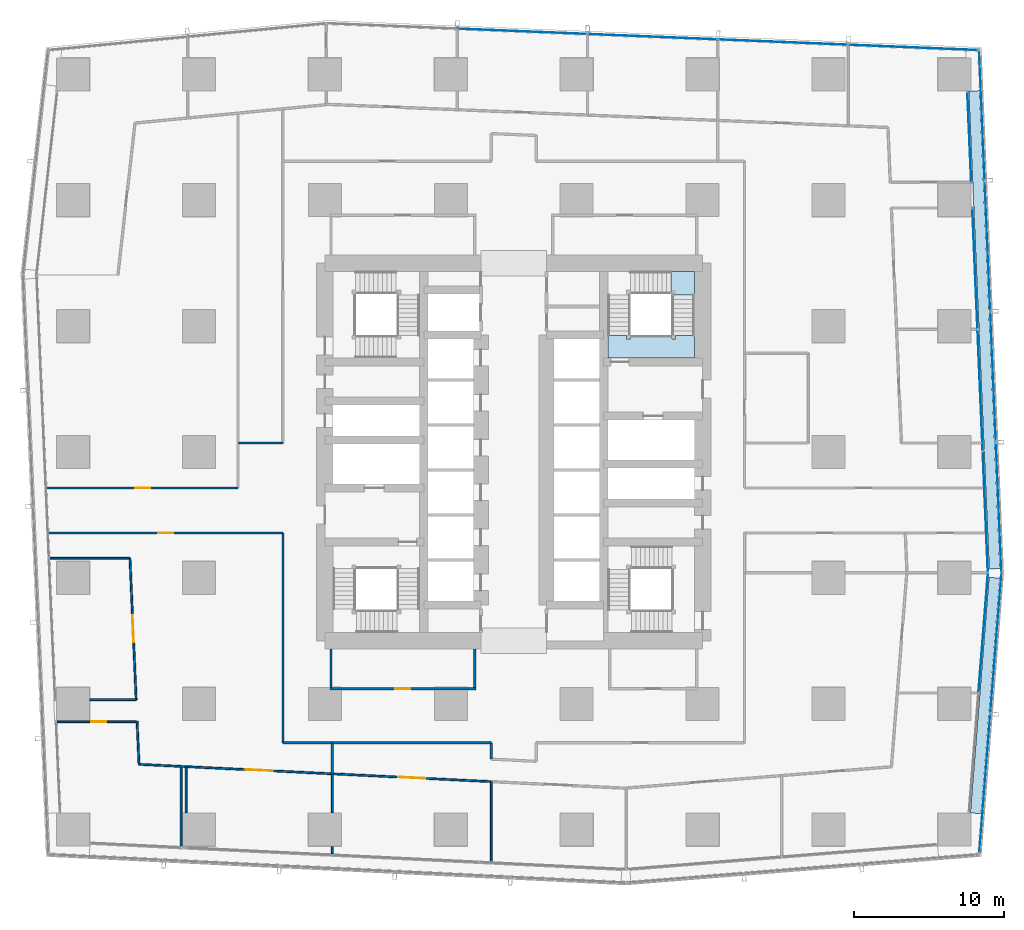
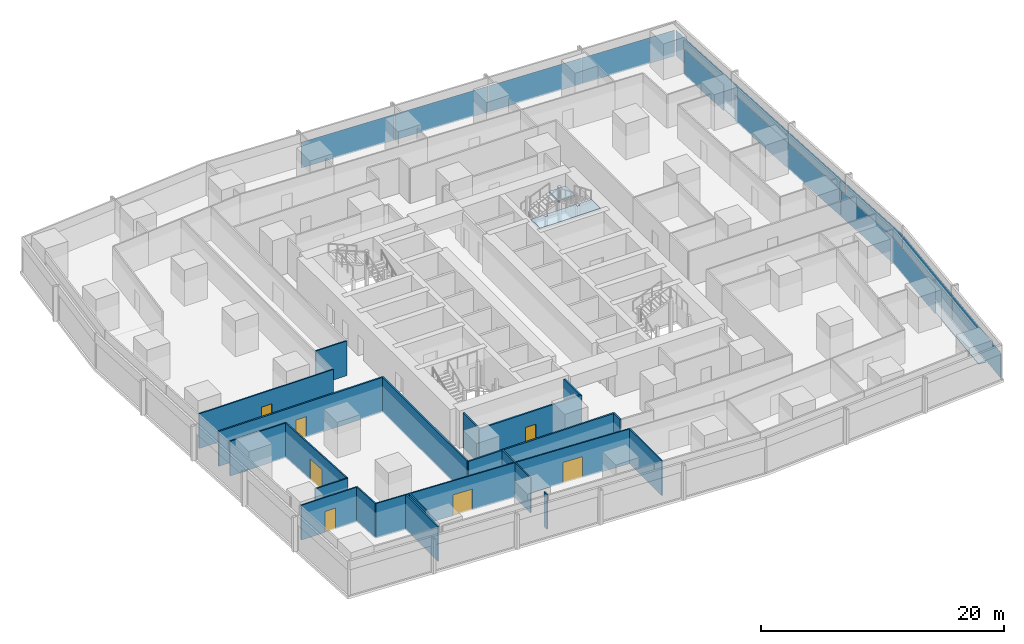
# One storey, part 31 of 44: 24 walls, 17 plates, 7 doors, 2 slabs, 7 openings, 7 elements without a shape of their own.
"""IFC4 building model written with IfcOpenShell, lengths in metres."""

from ifc_helpers import new_model, si_unit, direction, frame, frame_2d, origin, origin_2d, place, context, subcontext, project, spatial, polyline, rectangle, outline, extrude, material, layer, layer_set, type_object, element, fill, aggregate, save


model = new_model("IFC4")

# Units and contexts
model_context = context("Model", 3, precision=1e-05, world=origin(), true_north=direction((0.0, 1.0)))
body_context = subcontext(model_context, "Body", "Model", "MODEL_VIEW")
ifc_project = project(units=[si_unit("LENGTHUNIT", "METRE"), si_unit("AREAUNIT", "SQUARE_METRE"), si_unit("VOLUMEUNIT", "CUBIC_METRE"), si_unit("PLANEANGLEUNIT", "RADIAN"), si_unit("MASSUNIT", "GRAM", prefix="KILO")], contexts=[model_context])

# Site, building, storey
site_placement = place(None, origin())
site = spatial("IfcSite", under=ifc_project, at=site_placement, CompositionType="ELEMENT")
building_placement = place(site_placement, origin())
building = spatial("IfcBuilding", under=site, at=building_placement, Name="Rekha Terrace Tower", CompositionType="ELEMENT")
storey_placement = place(building_placement, frame((0.0, 0.0, 74.14990234375)))
storey = spatial("IfcBuildingStorey", under=building, at=storey_placement, Name="L18", CompositionType="ELEMENT", Elevation=74.14990234375)

# Curtain wall, plate
ifc_material_1 = material(Name="Aluminium framing", Category="aluminium")
curtain_wall_type_1 = type_object("IfcCurtainWallType", Name="CW1 double skin inner glazing", PredefinedType="USERDEFINED", material=ifc_material_1)
curtain_wall_1_placement = place(storey_placement, origin())
curtain_wall_1 = element("IfcCurtainWall", 1, at=curtain_wall_1_placement, inside=storey, type_object=curtain_wall_type_1, Name="CW1 double skin inner glazing", ObjectType="DOUBLE SKIN INNER GLAZING", PredefinedType="USERDEFINED")
ifc_material_2 = material(Name="Double-glazed low-e unit 32", Category="glass")
ifc_layer_1 = layer(ifc_material_2, 0.031982421875)
ifc_layer_set_1 = layer_set([ifc_layer_1], Name="Double-glazed low-e unit 32")
plate_type_1 = type_object("IfcPlateType", Name="CW1 jumbo vision panel, double-glazed low-e unit 32", PredefinedType="CURTAIN_PANEL", material=ifc_layer_set_1)
plate_1_placement = place(storey_placement, frame((69.1220703125, 21.53759765625, 0.0), z_axis=(0.0, 0.0, 1.0), x_axis=(0.079116301, 0.996865392576, 0.0)))
plate_1 = element("IfcPlate", 2, at=plate_1_placement, type_object=plate_type_1, Name="CW1 panel 2.1", PredefinedType="CURTAIN_PANEL", context=body_context, shape_type="SweptSolid", body=[
    extrude(rectangle(XDim=7.988525390625, YDim=0.031982421875, at=origin_2d()), origin(), (0.0, 0.0, 1.0), 2.60009765625),
])
aggregate(curtain_wall_1, [plate_1])

# Curtain wall, plates
curtain_wall_2_placement = place(storey_placement, origin())
curtain_wall_2 = element("IfcCurtainWall", 3, at=curtain_wall_2_placement, inside=storey, type_object=curtain_wall_type_1, Name="CW1 double skin inner glazing", ObjectType="DOUBLE SKIN INNER GLAZING", PredefinedType="USERDEFINED")
plate_2_placement = place(storey_placement, frame((69.263671875, 29.60107421875, 0.0), z_axis=(0.0, 0.0, 1.0), x_axis=(-0.042696072921, 0.999088106904, 0.0)))
plate_2 = element("IfcPlate", 4, at=plate_2_placement, type_object=plate_type_1, Name="CW1 panel 1.1", PredefinedType="CURTAIN_PANEL", context=body_context, shape_type="SweptSolid", body=[
    extrude(rectangle(XDim=8.041015625, YDim=0.031982421875, at=origin_2d()), origin(), (0.0, 0.0, 1.0), 2.60009765625),
])
plate_3_placement = place(storey_placement, frame((68.9169921875, 37.7158203125, 0.0), z_axis=(0.0, 0.0, 1.0), x_axis=(-0.042696072921, 0.999088106904, 0.0)))
plate_3 = element("IfcPlate", 5, at=plate_3_placement, type_object=plate_type_1, Name="CW1 panel 2.1", PredefinedType="CURTAIN_PANEL", context=body_context, shape_type="SweptSolid", body=[
    extrude(rectangle(XDim=8.073486328125, YDim=0.031982421875, at=origin_2d()), origin(), (0.0, 0.0, 1.0), 2.60009765625),
])
plate_4_placement = place(storey_placement, frame((68.5703125, 45.83056640625, 0.0), z_axis=(0.0, 0.0, 1.0), x_axis=(-0.042696072921, 0.999088106904, 0.0)))
plate_4 = element("IfcPlate", 6, at=plate_4_placement, type_object=plate_type_1, Name="CW1 panel 3.1", PredefinedType="CURTAIN_PANEL", context=body_context, shape_type="SweptSolid", body=[
    extrude(rectangle(XDim=8.041015625, YDim=0.031982421875, at=origin_2d()), origin(), (0.0, 0.0, 1.0), 2.60009765625),
])
aggregate(curtain_wall_2, [plate_2, plate_3, plate_4])

# Curtain wall, plate
curtain_wall_3_placement = place(storey_placement, origin())
curtain_wall_3 = element("IfcCurtainWall", 7, at=curtain_wall_3_placement, inside=storey, type_object=curtain_wall_type_1, Name="CW1 double skin inner glazing", ObjectType="DOUBLE SKIN INNER GLAZING", PredefinedType="USERDEFINED")
plate_5_placement = place(storey_placement, frame((68.195556640625, 54.60009765625, 0.0), z_axis=(0.0, 0.0, 1.0), x_axis=(-0.042696073026, 0.9990881069, 0.0)))
plate_5 = element("IfcPlate", 8, at=plate_5_placement, type_object=plate_type_1, Name="CW1 panel 1.1", PredefinedType="CURTAIN_PANEL", context=body_context, shape_type="SweptSolid", body=[
    extrude(rectangle(XDim=6.027587890625, YDim=0.031982421875, at=origin_2d()), origin(), (0.0, 0.0, 1.0), 2.60009765625),
])
aggregate(curtain_wall_3, [plate_5])

# Curtain wall, plates
curtain_wall_type_2 = type_object("IfcCurtainWallType", Name="CW2 double skin outer glazing", PredefinedType="USERDEFINED", material=ifc_material_1)
curtain_wall_4_placement = place(storey_placement, origin())
curtain_wall_4 = element("IfcCurtainWall", 9, at=curtain_wall_4_placement, inside=storey, type_object=curtain_wall_type_2, Name="CW2 double skin outer glazing", ObjectType="DOUBLE SKIN OUTER GLAZING", PredefinedType="USERDEFINED")
ifc_material_3 = material(Name="Toughened single glazing 12", Category="glass")
ifc_layer_2 = layer(ifc_material_3, 0.011962890625)
ifc_layer_set_2 = layer_set([ifc_layer_2], Name="Toughened single glazing 12")
plate_type_2 = type_object("IfcPlateType", Name="CW2 jumbo vision panel, toughened single glazing 12", PredefinedType="CURTAIN_PANEL", material=ifc_layer_set_2)
plate_6_placement = place(storey_placement, frame((69.22509765625, 11.45703125, 0.0), z_axis=(0.0, 0.0, 1.0), x_axis=(0.079116301017, 0.996865392575, 0.0)))
plate_6 = element("IfcPlate", 10, at=plate_6_placement, type_object=plate_type_2, Name="CW2 panel 1.1", PredefinedType="CURTAIN_PANEL", context=body_context, shape_type="SweptSolid", body=[
    extrude(rectangle(XDim=9.28662109375, YDim=0.011962890625, at=origin_2d()), origin(), (0.0, 0.0, 1.0), 2.60009765625),
])
plate_7_placement = place(storey_placement, frame((69.96923828125, 20.834228515625, 0.0), z_axis=(0.0, 0.0, 1.0), x_axis=(0.079116301017, 0.996865392575, 0.0)))
plate_7 = element("IfcPlate", 11, at=plate_7_placement, type_object=plate_type_2, Name="CW2 panel 2.1", PredefinedType="CURTAIN_PANEL", context=body_context, shape_type="SweptSolid", body=[
    extrude(rectangle(XDim=9.36669921875, YDim=0.011962890625, at=origin_2d()), origin(), (0.0, 0.0, 1.0), 2.60009765625),
])
aggregate(curtain_wall_4, [plate_6, plate_7])

curtain_wall_5_placement = place(storey_placement, origin())
curtain_wall_5 = element("IfcCurtainWall", 12, at=curtain_wall_5_placement, inside=storey, type_object=curtain_wall_type_2, Name="CW2 double skin outer glazing", ObjectType="DOUBLE SKIN OUTER GLAZING", PredefinedType="USERDEFINED")
plate_8_placement = place(storey_placement, frame((70.152099609375, 29.890869140625, 0.0), z_axis=(0.0, 0.0, 1.0), x_axis=(-0.042696072956, 0.999088106903, 0.0)))
plate_8 = element("IfcPlate", 13, at=plate_8_placement, type_object=plate_type_2, Name="CW2 panel 1.1", PredefinedType="CURTAIN_PANEL", context=body_context, shape_type="SweptSolid", body=[
    extrude(rectangle(XDim=8.623779296875, YDim=0.011962890625, at=origin_2d()), origin(), (0.0, 0.0, 1.0), 2.60009765625),
])
plate_9_placement = place(storey_placement, frame((69.77978515625, 38.606689453125, 0.0), z_axis=(0.0, 0.0, 1.0), x_axis=(-0.042696072956, 0.999088106903, 0.0)))
plate_9 = element("IfcPlate", 14, at=plate_9_placement, type_object=plate_type_2, Name="CW2 panel 2.1", PredefinedType="CURTAIN_PANEL", context=body_context, shape_type="SweptSolid", body=[
    extrude(rectangle(XDim=8.663818359375, YDim=0.011962890625, at=origin_2d()), origin(), (0.0, 0.0, 1.0), 2.60009765625),
])
plate_10_placement = place(storey_placement, frame((69.406494140625, 47.342529296875, 0.0), z_axis=(0.0, 0.0, 1.0), x_axis=(-0.042696072956, 0.999088106903, 0.0)))
plate_10 = element("IfcPlate", 15, at=plate_10_placement, type_object=plate_type_2, Name="CW2 panel 3.1", PredefinedType="CURTAIN_PANEL", context=body_context, shape_type="SweptSolid", body=[
    extrude(rectangle(XDim=8.663818359375, YDim=0.011962890625, at=origin_2d()), origin(), (0.0, 0.0, 1.0), 2.60009765625),
])
plate_11_placement = place(storey_placement, frame((69.033935546875, 56.058349609375, 0.0), z_axis=(0.0, 0.0, 1.0), x_axis=(-0.042696072956, 0.999088106903, 0.0)))
plate_11 = element("IfcPlate", 16, at=plate_11_placement, type_object=plate_type_2, Name="CW2 panel 4.1", PredefinedType="CURTAIN_PANEL", context=body_context, shape_type="SweptSolid", body=[
    extrude(rectangle(XDim=8.623779296875, YDim=0.011962890625, at=origin_2d()), origin(), (0.0, 0.0, 1.0), 2.60009765625),
])
aggregate(curtain_wall_5, [plate_8, plate_9, plate_10, plate_11])

curtain_wall_type_3 = type_object("IfcCurtainWallType", Name="CW3 north unitised glazing", PredefinedType="USERDEFINED", material=ifc_material_1)
curtain_wall_6_placement = place(storey_placement, origin())
curtain_wall_6 = element("IfcCurtainWall", 17, at=curtain_wall_6_placement, inside=storey, type_object=curtain_wall_type_3, Name="CW3 unitised curtain wall", ObjectType="UNITISED CURTAIN WALL", PredefinedType="USERDEFINED")
ifc_material_4 = material(Name="Double-glazed unit 28", Category="glass")
ifc_layer_3 = layer(ifc_material_4, 0.028076171875)
ifc_layer_set_3 = layer_set([ifc_layer_3], Name="Double-glazed unit 28")
plate_type_3 = type_object("IfcPlateType", Name="CW3 jumbo vision panel, double-glazed unit 28", PredefinedType="CURTAIN_PANEL", material=ifc_layer_set_3)
plate_12_placement = place(storey_placement, frame((64.4423828125, 60.587646484375, 0.0), z_axis=(0.0, 0.0, 1.0), x_axis=(-0.999151997647, 0.041173846041, 0.0)))
plate_12 = element("IfcPlate", 18, at=plate_12_placement, type_object=plate_type_3, Name="CW3 panel 1.1", PredefinedType="CURTAIN_PANEL", context=body_context, shape_type="SweptSolid", body=[
    extrude(rectangle(XDim=8.598876953125, YDim=0.028076171875, at=origin_2d()), origin(), (0.0, 0.0, 1.0), 2.60009765625),
])
plate_13_placement = place(storey_placement, frame((55.76318359375, 60.9453125, 0.0), z_axis=(0.0, 0.0, 1.0), x_axis=(-0.999151997647, 0.041173846041, 0.0)))
plate_13 = element("IfcPlate", 19, at=plate_13_placement, type_object=plate_type_3, Name="CW3 panel 2.1", PredefinedType="CURTAIN_PANEL", context=body_context, shape_type="SweptSolid", body=[
    extrude(rectangle(XDim=8.6337890625, YDim=0.028076171875, at=origin_2d()), origin(), (0.0, 0.0, 1.0), 2.60009765625),
])
plate_14_placement = place(storey_placement, frame((47.066650390625, 61.3037109375, 0.0), z_axis=(0.0, 0.0, 1.0), x_axis=(-0.999151997647, 0.041173846041, 0.0)))
plate_14 = element("IfcPlate", 20, at=plate_14_placement, type_object=plate_type_3, Name="CW3 panel 3.1", PredefinedType="CURTAIN_PANEL", context=body_context, shape_type="SweptSolid", body=[
    extrude(rectangle(XDim=8.6337890625, YDim=0.028076171875, at=origin_2d()), origin(), (0.0, 0.0, 1.0), 2.60009765625),
])
plate_15_placement = place(storey_placement, frame((38.370361328125, 61.662109375, 0.0), z_axis=(0.0, 0.0, 1.0), x_axis=(-0.999151997647, 0.041173846041, 0.0)))
plate_15 = element("IfcPlate", 21, at=plate_15_placement, type_object=plate_type_3, Name="CW3 panel 4.1", PredefinedType="CURTAIN_PANEL", context=body_context, shape_type="SweptSolid", body=[
    extrude(rectangle(XDim=8.6337890625, YDim=0.028076171875, at=origin_2d()), origin(), (0.0, 0.0, 1.0), 2.60009765625),
])
aggregate(curtain_wall_6, [plate_12, plate_13, plate_14, plate_15])

# Plates
ifc_material_5 = material(Name="Galvanised steel open grating", Category="steel")
ifc_layer_4 = layer(ifc_material_5, 0.050048828125)
ifc_layer_set_4 = layer_set([ifc_layer_4], Name="Galvanised steel open grating")
plate_type_4 = type_object("IfcPlateType", Name="GT1 cavity walkway grating 50", PredefinedType="USERDEFINED", material=ifc_layer_set_4)
plate_16_placement = place(storey_placement, frame((69.241455078125, 17.353515625, 0.0), z_axis=(0.0, 0.0, 1.0), x_axis=(0.079116301, 0.996865392576, 0.0)))
element("IfcPlate", 22, at=plate_16_placement, inside=storey, type_object=plate_type_4, Name="Cavity walkway grating", ObjectType="CAVITY WALKWAY GRATING", PredefinedType="USERDEFINED", context=body_context, shape_type="SweptSolid", body=[
    extrude(rectangle(XDim=15.7666015625, YDim=0.705078125, at=origin_2d()), origin(), (0.0, 0.0, 1.0), 0.050048828125),
])
plate_17_placement = place(storey_placement, frame((69.195068359375, 41.75, 0.0), z_axis=(0.0, 0.0, 1.0), x_axis=(-0.042696072939, 0.999088106903, 0.0)))
element("IfcPlate", 23, at=plate_17_placement, inside=storey, type_object=plate_type_4, Name="Cavity walkway grating", ObjectType="CAVITY WALKWAY GRATING", PredefinedType="USERDEFINED", context=body_context, shape_type="SweptSolid", body=[
    extrude(rectangle(XDim=31.9072265625, YDim=0.705078125, at=origin_2d()), origin(), (0.0, 0.0, 1.0), 0.050048828125),
])

# Stair, slabs
ifc_material_6 = material(Name="Concrete M40", Category="concrete")
stair_type = type_object("IfcStairType", Name="ST30 stair, 30 risers of 125, going 300, 1500 wide flights, 3 flights", PredefinedType="HALF_TURN_STAIR", material=ifc_material_6)
stair_placement = place(storey_placement, origin())
stair = element("IfcStair", 24, at=stair_placement, inside=storey, type_object=stair_type, Name="Stair ST2 L18 to L19", PredefinedType="HALF_TURN_STAIR")
ifc_layer_5 = layer(ifc_material_6, 0.199951171875)
ifc_layer_set_5 = layer_set([ifc_layer_5], Name="Concrete M40")
slab_type = type_object("IfcSlabType", Name="LD1 200 concrete stair landing", PredefinedType="LANDING", material=ifc_layer_set_5)
slab_1_placement = place(storey_placement, frame((0.0, 0.0, 2.300048828125)))
slab_1 = element("IfcSlab", 25, at=slab_1_placement, type_object=slab_type, Name="ST2 landing 2", PredefinedType="LANDING", context=body_context, shape_type="SweptSolid", body=[
    extrude(outline(polyline([(48.35009765625, 44.074951171875), (49.85009765625, 44.074951171875), (49.85009765625, 45.64990234375), (48.27490234375, 45.64990234375), (48.27490234375, 44.14990234375), (48.35009765625, 44.14990234375), (48.35009765625, 44.074951171875)])), origin(), (0.0, 0.0, 1.0), 0.199951171875),
])
slab_2_placement = place(storey_placement, frame((0.0, 0.0, 3.550048828125)))
slab_2 = element("IfcSlab", 26, at=slab_2_placement, type_object=slab_type, Name="ST2 landing 3", PredefinedType="LANDING", context=body_context, shape_type="SweptSolid", body=[
    extrude(outline(polyline([(44.074951171875, 41.375), (44.074951171875, 39.875), (49.85009765625, 39.875), (49.85009765625, 41.375), (48.60009765625, 41.375), (48.60009765625, 41.125), (48.35009765625, 41.125), (48.35009765625, 41.375), (45.574951171875, 41.375), (45.574951171875, 41.125), (45.324951171875, 41.125), (45.324951171875, 41.375), (44.074951171875, 41.375)])), origin(), (0.0, 0.0, 1.0), 0.199951171875),
])
aggregate(stair, [slab_1, slab_2])

# Wall, opening, door
ifc_material_7 = material(Name="Concrete block masonry, 1 hour", Category="masonry")
ifc_layer_6 = layer(ifc_material_7, 0.14990234375)
ifc_layer_set_6 = layer_set([ifc_layer_6], Name="Concrete block masonry, 1 hour")
wall_type_1 = type_object("IfcWallType", Name="WP2 150 tenancy partition", PredefinedType="PARTITIONING", material=ifc_layer_set_6)
wall_1_placement = place(storey_placement, frame((25.52490234375, 17.800048828125, 0.0), z_axis=(0.0, 0.0, 1.0), x_axis=(1.0, 0.0, 0.0)))
wall_1 = element("IfcWall", 27, at=wall_1_placement, inside=storey, type_object=wall_type_1, Name="Men's WC wall L18", PredefinedType="PARTITIONING", context=body_context, shape_type="SweptSolid", body=[
    extrude(rectangle(XDim=9.75, YDim=0.14990234375, at=frame_2d((4.875, 0.0))), origin(), (0.0, 0.0, 1.0), 3.5),
])
opening_1_placement = place(wall_1_placement, frame((4.375, 0.0, 0.0)))
opening_1 = element("IfcOpeningElement", 28, at=opening_1_placement, cuts=wall_1, Name="Opening D3", PredefinedType="OPENING", context=body_context, shape_type="SweptSolid", body=[
    extrude(rectangle(XDim=1.0, YDim=2.10009765625, at=frame_2d((0.5, 1.050048828125))), frame((0.0, 0.0849609375, 0.0), z_axis=(0.0, -1.0, 0.0), x_axis=(1.0, 0.0, 0.0)), (0.0, 0.0, 1.0), 0.169921875),
])
ifc_material_8 = material(Name="Laminated timber fire door", Category="wood")
door_type_1 = type_object("IfcDoorType", Name="D3 1000x2100 WC door", OperationType="SINGLE_SWING_LEFT", PredefinedType="DOOR", material=ifc_material_8)
door_1_placement = place(opening_1_placement, origin())
door_1 = element("IfcDoor", 29, at=door_1_placement, inside=storey, type_object=door_type_1, Name="Door men's wc L18", OperationType="SINGLE_SWING_LEFT", OverallHeight=2.10009765625, OverallWidth=1.0, PredefinedType="DOOR", context=body_context, shape_type="SweptSolid", body=[
    extrude(rectangle(XDim=1.0, YDim=2.10009765625, at=frame_2d((0.5, 1.050048828125))), frame((0.0, 0.02490234375, 0.0), z_axis=(0.0, -1.0, 0.0), x_axis=(1.0, 0.0, 0.0)), (0.0, 0.0, 1.0), 0.050048828125),
])
fill(opening_1, door_1)

# Walls
for number, where, z_axis, x_axis, name in (
    (30, (25.60009765625, 17.875, 0.0), (0.0, 0.0, 1.0), (0.0, 1.0, 0.0), "Men's WC wall L18"),
    (31, (35.199951171875, 17.875, 0.0), (0.0, 0.0, 1.0), (0.0, 1.0, 0.0), "Men's WC wall L18"),
):
    element("IfcWall", number, at=place(storey_placement, frame(where, z_axis=z_axis, x_axis=x_axis)), inside=storey, type_object=wall_type_1, Name=name, PredefinedType="PARTITIONING", context=body_context, shape_type="SweptSolid", body=[
        extrude(rectangle(XDim=2.574951171875, YDim=0.14990234375, at=frame_2d((1.28759765625, 0.0))), origin(), (0.0, 0.0, 1.0), 3.5),
    ])
wall_2_placement = place(storey_placement, frame((25.697021484375, 12.1298828125, 0.0), z_axis=(0.0, 0.0, 1.0), x_axis=(0.0, 1.0, 0.0)))
element("IfcWall", 32, at=wall_2_placement, inside=storey, type_object=wall_type_1, Name="Partition L18-O1", PredefinedType="PARTITIONING", context=body_context, shape_type="SweptSolid", body=[
    extrude(rectangle(XDim=2.070068359375, YDim=0.14990234375, at=frame_2d((1.03515625, 0.0))), origin(), (0.0, 0.0, 1.0), 3.5),
])
wall_3_placement = place(storey_placement, frame((25.697021484375, 14.199951171875, 0.0), z_axis=(0.0, 0.0, 1.0), x_axis=(1.0, 0.0, 0.0)))
element("IfcWall", 33, at=wall_3_placement, inside=storey, type_object=wall_type_1, Name="Partition L18-O1", PredefinedType="PARTITIONING", context=body_context, shape_type="SweptSolid", body=[
    extrude(rectangle(XDim=10.60302734375, YDim=0.14990234375, at=frame_2d((5.301513671875, 0.0))), origin(), (0.0, 0.0, 1.0), 3.5),
])
wall_4_placement = place(storey_placement, frame((36.300048828125, 14.199951171875, 0.0), z_axis=(0.0, 0.0, 1.0), x_axis=(0.0, -1.0, 0.0)))
element("IfcWall", 34, at=wall_4_placement, inside=storey, type_object=wall_type_1, Name="Partition L18-O1", PredefinedType="PARTITIONING", context=body_context, shape_type="SweptSolid", body=[
    extrude(rectangle(XDim=1.0888671875, YDim=0.14990234375, at=frame_2d((0.54443359375, 0.0))), origin(), (0.0, 0.0, 1.0), 3.5),
])

# Wall, opening, door
wall_5_placement = place(storey_placement, frame((6.76708984375, 28.199951171875, 0.0), z_axis=(0.0, 0.0, 1.0), x_axis=(1.0, 0.0, 0.0)))
wall_5 = element("IfcWall", 35, at=wall_5_placement, inside=storey, type_object=wall_type_1, Name="Partition L18-O4", PredefinedType="PARTITIONING", context=body_context, shape_type="SweptSolid", body=[
    extrude(rectangle(XDim=15.6328125, YDim=0.14990234375, at=frame_2d((7.81640625, 0.0))), origin(), (0.0, 0.0, 1.0), 3.5),
])
opening_2_placement = place(wall_5_placement, frame((7.3310546875, 0.0, 0.0)))
opening_2 = element("IfcOpeningElement", 36, at=opening_2_placement, cuts=wall_5, Name="Opening D9", PredefinedType="OPENING", context=body_context, shape_type="SweptSolid", body=[
    extrude(rectangle(XDim=1.0, YDim=2.10009765625, at=frame_2d((0.5, 1.050048828125))), frame((0.0, 0.0849609375, 0.0), z_axis=(0.0, -1.0, 0.0), x_axis=(1.0, 0.0, 0.0)), (0.0, 0.0, 1.0), 0.169921875),
])
ifc_material_9 = material(Name="Timber fire door", Category="wood")
door_type_2 = type_object("IfcDoorType", Name="D9 1000x2100 office door", OperationType="SINGLE_SWING_LEFT", PredefinedType="DOOR", material=ifc_material_9)
door_2_placement = place(opening_2_placement, origin())
door_2 = element("IfcDoor", 37, at=door_2_placement, inside=storey, type_object=door_type_2, Name="Door open-plan office L18", OperationType="SINGLE_SWING_LEFT", OverallHeight=2.10009765625, OverallWidth=1.0, PredefinedType="DOOR", context=body_context, shape_type="SweptSolid", body=[
    extrude(rectangle(XDim=1.0, YDim=2.10009765625, at=frame_2d((0.5, 1.050048828125))), frame((0.0, 0.02490234375, 0.0), z_axis=(0.0, -1.0, 0.0), x_axis=(1.0, 0.0, 0.0)), (0.0, 0.0, 1.0), 0.050048828125),
])
fill(opening_2, door_2)

# Walls
wall_6_placement = place(storey_placement, frame((22.39990234375, 28.199951171875, 0.0), z_axis=(0.0, 0.0, 1.0), x_axis=(0.0, -1.0, 0.0)))
element("IfcWall", 38, at=wall_6_placement, inside=storey, type_object=wall_type_1, Name="Partition L18-O4", PredefinedType="PARTITIONING", context=body_context, shape_type="SweptSolid", body=[
    extrude(rectangle(XDim=14.0, YDim=0.14990234375, at=frame_2d((7.0, 0.0))), origin(), (0.0, 0.0, 1.0), 3.5),
])
wall_7_placement = place(storey_placement, frame((22.39990234375, 14.199951171875, 0.0), z_axis=(0.0, 0.0, 1.0), x_axis=(1.0, 0.0, 0.0)))
element("IfcWall", 39, at=wall_7_placement, inside=storey, type_object=wall_type_1, Name="Partition L18-O4", PredefinedType="PARTITIONING", context=body_context, shape_type="SweptSolid", body=[
    extrude(rectangle(XDim=3.296142578125, YDim=0.14990234375, at=frame_2d((1.64794921875, 0.0))), origin(), (0.0, 0.0, 1.0), 3.5),
])
ifc_material_10 = material(Name="Two layers of fire-rated gypsum board each side on steel studs, acoustic quilt, 1 hour", Category="steel")
ifc_layer_7 = layer(ifc_material_10, 0.125)
ifc_layer_set_7 = layer_set([ifc_layer_7], Name="Two layers of fire-rated gypsum board each side on steel studs, acoustic quilt, 1 hour")
wall_type_2 = type_object("IfcWallType", Name="WP3 125 office partition", PredefinedType="PARTITIONING", material=ifc_layer_set_7)
wall_8_placement = place(storey_placement, frame((36.299072265625, 6.2529296875, 0.0), z_axis=(0.0, 0.0, 1.0), x_axis=(0.0, 1.0, 0.0)))
element("IfcWall", 40, at=wall_8_placement, inside=storey, type_object=wall_type_2, Name="Partition L18-02", PredefinedType="PARTITIONING", context=body_context, shape_type="SweptSolid", body=[
    extrude(rectangle(XDim=5.35595703125, YDim=0.125, at=frame_2d((2.677978515625, 0.0))), origin(), (0.0, 0.0, 1.0), 3.5),
])

# Wall, opening, door
wall_9_placement = place(storey_placement, frame((25.697021484375, 12.1298828125, 0.0), z_axis=(0.0, 0.0, 1.0), x_axis=(0.99879453849, -0.049086351277, 0.0)))
wall_9 = element("IfcWall", 41, at=wall_9_placement, inside=storey, type_object=wall_type_2, Name="Partition L18-06", PredefinedType="PARTITIONING", context=body_context, shape_type="SweptSolid", body=[
    extrude(rectangle(XDim=10.61376953125, YDim=0.125, at=frame_2d((5.306884765625, 0.0))), origin(), (0.0, 0.0, 1.0), 3.5),
])
opening_3_placement = place(wall_9_placement, frame((4.406982421875, 0.0, 0.0)))
opening_3 = element("IfcOpeningElement", 42, at=opening_3_placement, cuts=wall_9, Name="Opening D8", PredefinedType="OPENING", context=body_context, shape_type="SweptSolid", body=[
    extrude(rectangle(XDim=1.800048828125, YDim=2.10009765625, at=frame_2d((0.89990234375, 1.050048828125))), frame((0.0, 0.072509765625, 0.0), z_axis=(0.0, -1.0, 0.0), x_axis=(1.0, 0.0, 0.0)), (0.0, 0.0, 1.0), 0.14501953125),
])
door_type_3 = type_object("IfcDoorType", Name="D8 1800x2100 double leaf door", OperationType="DOUBLE_DOOR_SINGLE_SWING", PredefinedType="DOOR", material=ifc_material_9)
door_3_placement = place(opening_3_placement, origin())
door_3 = element("IfcDoor", 43, at=door_3_placement, inside=storey, type_object=door_type_3, Name="Door print room L18", OperationType="DOUBLE_DOOR_SINGLE_SWING", OverallHeight=2.10009765625, OverallWidth=1.800048828125, PredefinedType="DOOR", context=body_context, shape_type="SweptSolid", body=[
    extrude(rectangle(XDim=1.800048828125, YDim=2.10009765625, at=frame_2d((0.89990234375, 1.050048828125))), frame((0.0, 0.02490234375, 0.0), z_axis=(0.0, -1.0, 0.0), x_axis=(1.0, 0.0, 0.0)), (0.0, 0.0, 1.0), 0.050048828125),
])
fill(opening_3, door_3)

# Walls
wall_10_placement = place(storey_placement, frame((25.697021484375, 6.802978515625, 0.0), z_axis=(0.0, 0.0, 1.0), x_axis=(0.0, 1.0, 0.0)))
element("IfcWall", 44, at=wall_10_placement, inside=storey, type_object=wall_type_2, Name="Partition L18-06", PredefinedType="PARTITIONING", context=body_context, shape_type="SweptSolid", body=[
    extrude(rectangle(XDim=0.47705078125, YDim=0.125, at=frame_2d((0.238525390625, 0.0))), origin(), (0.0, 0.0, 1.0), 3.5),
])
wall_11_placement = place(storey_placement, frame((25.697021484375, 9.52001953125, 0.0), z_axis=(0.0, 0.0, 1.0), x_axis=(0.0, 1.0, 0.0)))
element("IfcWall", 45, at=wall_11_placement, inside=storey, type_object=wall_type_2, Name="Partition L18-06", PredefinedType="PARTITIONING", context=body_context, shape_type="SweptSolid", body=[
    extrude(rectangle(XDim=2.60986328125, YDim=0.125, at=frame_2d((1.304931640625, 0.0))), origin(), (0.0, 0.0, 1.0), 3.5),
])

# Wall, opening, door
wall_12_placement = place(storey_placement, frame((19.39990234375, 31.199951171875, 0.0), z_axis=(0.0, 0.0, 1.0), x_axis=(-1.0, 0.0, 0.0)))
wall_12 = element("IfcWall", 46, at=wall_12_placement, inside=storey, type_object=wall_type_2, Name="Partition L18-18", PredefinedType="PARTITIONING", context=body_context, shape_type="SweptSolid", body=[
    extrude(rectangle(XDim=12.764892578125, YDim=0.125, at=frame_2d((6.38232421875, 0.0))), origin(), (0.0, 0.0, 1.0), 3.5),
])
opening_4_placement = place(wall_12_placement, frame((5.866943359375, 0.0, 0.0)))
opening_4 = element("IfcOpeningElement", 47, at=opening_4_placement, cuts=wall_12, Name="Opening D9", PredefinedType="OPENING", context=body_context, shape_type="SweptSolid", body=[
    extrude(rectangle(XDim=1.0, YDim=2.10009765625, at=frame_2d((0.5, 1.050048828125))), frame((0.0, 0.072509765625, 0.0), z_axis=(0.0, -1.0, 0.0), x_axis=(1.0, 0.0, 0.0)), (0.0, 0.0, 1.0), 0.14501953125),
])
door_4_placement = place(opening_4_placement, origin())
door_4 = element("IfcDoor", 48, at=door_4_placement, inside=storey, type_object=door_type_2, Name="Door office L18", OperationType="SINGLE_SWING_LEFT", OverallHeight=2.10009765625, OverallWidth=1.0, PredefinedType="DOOR", context=body_context, shape_type="SweptSolid", body=[
    extrude(rectangle(XDim=1.0, YDim=2.10009765625, at=frame_2d((0.5, 1.050048828125))), frame((0.0, 0.02490234375, 0.0), z_axis=(0.0, -1.0, 0.0), x_axis=(1.0, 0.0, 0.0)), (0.0, 0.0, 1.0), 0.050048828125),
])
fill(opening_4, door_4)

# Wall
wall_13_placement = place(storey_placement, frame((22.39990234375, 34.199951171875, 0.0), z_axis=(0.0, 0.0, 1.0), x_axis=(-1.0, 0.0, 0.0)))
element("IfcWall", 49, at=wall_13_placement, inside=storey, type_object=wall_type_2, Name="Partition L18-19", PredefinedType="PARTITIONING", context=body_context, shape_type="SweptSolid", body=[
    extrude(rectangle(XDim=2.93798828125, YDim=0.125, at=frame_2d((1.468994140625, 0.0))), origin(), (0.0, 0.0, 1.0), 3.5),
])

# Wall, opening, door
wall_14_placement = place(storey_placement, frame((12.196044921875, 26.511962890625, 0.0), z_axis=(0.0, 0.0, 1.0), x_axis=(0.043625757269, -0.999047943445, 0.0)))
wall_14 = element("IfcWall", 50, at=wall_14_placement, inside=storey, type_object=wall_type_2, Name="Partition L18-20", PredefinedType="PARTITIONING", context=body_context, shape_type="SweptSolid", body=[
    extrude(rectangle(XDim=9.44091796875, YDim=0.125, at=frame_2d((4.720458984375, 0.0))), origin(), (0.0, 0.0, 1.0), 3.5),
])
opening_5_placement = place(wall_14_placement, frame((3.820068359375, 0.0, 0.0)))
opening_5 = element("IfcOpeningElement", 51, at=opening_5_placement, cuts=wall_14, Name="Opening D8", PredefinedType="OPENING", context=body_context, shape_type="SweptSolid", body=[
    extrude(rectangle(XDim=1.800048828125, YDim=2.10009765625, at=frame_2d((0.89990234375, 1.050048828125))), frame((0.0, 0.072509765625, 0.0), z_axis=(0.0, -1.0, 0.0), x_axis=(1.0, 0.0, 0.0)), (0.0, 0.0, 1.0), 0.14501953125),
])
door_5_placement = place(opening_5_placement, origin())
door_5 = element("IfcDoor", 52, at=door_5_placement, inside=storey, type_object=door_type_3, Name="Door breakout lounge L18", OperationType="DOUBLE_DOOR_SINGLE_SWING", OverallHeight=2.10009765625, OverallWidth=1.800048828125, PredefinedType="DOOR", context=body_context, shape_type="SweptSolid", body=[
    extrude(rectangle(XDim=1.800048828125, YDim=2.10009765625, at=frame_2d((0.89990234375, 1.050048828125))), frame((0.0, 0.02490234375, 0.0), z_axis=(0.0, -1.0, 0.0), x_axis=(1.0, 0.0, 0.0)), (0.0, 0.0, 1.0), 0.050048828125),
])
fill(opening_5, door_5)

# Walls
wall_15_placement = place(storey_placement, frame((12.60791015625, 17.080078125, 0.0), z_axis=(0.0, 0.0, 1.0), x_axis=(-1.0, 0.0, 0.0)))
element("IfcWall", 53, at=wall_15_placement, inside=storey, type_object=wall_type_2, Name="Partition L18-20", PredefinedType="PARTITIONING", context=body_context, shape_type="SweptSolid", body=[
    extrude(rectangle(XDim=3.087890625, YDim=0.125, at=frame_2d((1.5439453125, 0.0))), origin(), (0.0, 0.0, 1.0), 3.5),
])
wall_16_placement = place(storey_placement, frame((6.87109375, 26.511962890625, 0.0), z_axis=(0.0, 0.0, 1.0), x_axis=(1.0, 0.0, 0.0)))
element("IfcWall", 54, at=wall_16_placement, inside=storey, type_object=wall_type_2, Name="Partition L18-20", PredefinedType="PARTITIONING", context=body_context, shape_type="SweptSolid", body=[
    extrude(rectangle(XDim=5.324951171875, YDim=0.125, at=frame_2d((2.66259765625, 0.0))), origin(), (0.0, 0.0, 1.0), 3.5),
])

# Wall, opening, door
wall_17_placement = place(storey_placement, frame((7.346923828125, 15.60791015625, 0.0), z_axis=(0.0, 0.0, 1.0), x_axis=(1.0, 0.0, 0.0)))
wall_17 = element("IfcWall", 55, at=wall_17_placement, inside=storey, type_object=wall_type_2, Name="Partition L18-21", PredefinedType="PARTITIONING", context=body_context, shape_type="SweptSolid", body=[
    extrude(rectangle(XDim=5.26318359375, YDim=0.125, at=frame_2d((2.631591796875, 0.0))), origin(), (0.0, 0.0, 1.0), 3.5),
])
opening_6_placement = place(wall_17_placement, frame((2.261962890625, 0.0, 0.0)))
opening_6 = element("IfcOpeningElement", 56, at=opening_6_placement, cuts=wall_17, Name="Opening D9", PredefinedType="OPENING", context=body_context, shape_type="SweptSolid", body=[
    extrude(rectangle(XDim=1.0, YDim=2.10009765625, at=frame_2d((0.5, 1.050048828125))), frame((0.0, 0.072509765625, 0.0), z_axis=(0.0, -1.0, 0.0), x_axis=(1.0, 0.0, 0.0)), (0.0, 0.0, 1.0), 0.14501953125),
])
door_6_placement = place(opening_6_placement, origin())
door_6 = element("IfcDoor", 57, at=door_6_placement, inside=storey, type_object=door_type_2, Name="Door director's office L18", OperationType="SINGLE_SWING_LEFT", OverallHeight=2.10009765625, OverallWidth=1.0, PredefinedType="DOOR", context=body_context, shape_type="SweptSolid", body=[
    extrude(rectangle(XDim=1.0, YDim=2.10009765625, at=frame_2d((0.5, 1.050048828125))), frame((0.0, 0.02490234375, 0.0), z_axis=(0.0, -1.0, 0.0), x_axis=(1.0, 0.0, 0.0)), (0.0, 0.0, 1.0), 0.050048828125),
])
fill(opening_6, door_6)

# Walls
wall_18_placement = place(storey_placement, frame((12.6708984375, 15.64306640625, 0.0), z_axis=(0.0, 0.0, 1.0), x_axis=(0.043782676762, -0.999041078843, 0.0)))
element("IfcWall", 58, at=wall_18_placement, inside=storey, type_object=wall_type_2, Name="Partition L18-21", PredefinedType="PARTITIONING", context=body_context, shape_type="SweptSolid", body=[
    extrude(rectangle(XDim=2.8828125, YDim=0.125, at=frame_2d((1.44140625, 0.0))), origin(), (0.0, 0.0, 1.0), 3.5),
])
wall_19_placement = place(storey_placement, frame((12.797119140625, 12.762939453125, 0.0), z_axis=(0.0, 0.0, 1.0), x_axis=(0.998790140287, -0.049175762993, 0.0)))
element("IfcWall", 59, at=wall_19_placement, inside=storey, type_object=wall_type_2, Name="Partition L18-21", PredefinedType="PARTITIONING", context=body_context, shape_type="SweptSolid", body=[
    extrude(rectangle(XDim=3.1328125, YDim=0.125, at=frame_2d((1.56640625, 0.0))), origin(), (0.0, 0.0, 1.0), 3.5),
])
wall_20_placement = place(storey_placement, frame((15.60791015625, 12.56201171875, 0.0), z_axis=(0.0, 0.0, 1.0), x_axis=(0.0, -1.0, 0.0)))
element("IfcWall", 60, at=wall_20_placement, inside=storey, type_object=wall_type_2, Name="Partition L18-21", PredefinedType="PARTITIONING", context=body_context, shape_type="SweptSolid", body=[
    extrude(rectangle(XDim=5.262939453125, YDim=0.125, at=frame_2d((2.63134765625, 0.0))), origin(), (0.0, 0.0, 1.0), 3.5),
])

# Wall, opening, door
wall_21_placement = place(storey_placement, frame((15.94091796875, 12.60888671875, 0.0), z_axis=(0.0, 0.0, 1.0), x_axis=(0.998796633854, -0.049043696865, 0.0)))
wall_21 = element("IfcWall", 61, at=wall_21_placement, inside=storey, type_object=wall_type_2, Name="Partition L18-22", PredefinedType="PARTITIONING", context=body_context, shape_type="SweptSolid", body=[
    extrude(rectangle(XDim=9.766845703125, YDim=0.125, at=frame_2d((4.88330078125, 0.0))), origin(), (0.0, 0.0, 1.0), 3.5),
])
opening_7_placement = place(wall_21_placement, frame((3.98291015625, 0.0, 0.0)))
opening_7 = element("IfcOpeningElement", 62, at=opening_7_placement, cuts=wall_21, Name="Opening D8", PredefinedType="OPENING", context=body_context, shape_type="SweptSolid", body=[
    extrude(rectangle(XDim=1.800048828125, YDim=2.10009765625, at=frame_2d((0.89990234375, 1.050048828125))), frame((0.0, 0.072509765625, 0.0), z_axis=(0.0, -1.0, 0.0), x_axis=(1.0, 0.0, 0.0)), (0.0, 0.0, 1.0), 0.14501953125),
])
door_7_placement = place(opening_7_placement, origin())
door_7 = element("IfcDoor", 63, at=door_7_placement, inside=storey, type_object=door_type_3, Name="Door print room L18", OperationType="DOUBLE_DOOR_SINGLE_SWING", OverallHeight=2.10009765625, OverallWidth=1.800048828125, PredefinedType="DOOR", context=body_context, shape_type="SweptSolid", body=[
    extrude(rectangle(XDim=1.800048828125, YDim=2.10009765625, at=frame_2d((0.89990234375, 1.050048828125))), frame((0.0, 0.02490234375, 0.0), z_axis=(0.0, -1.0, 0.0), x_axis=(1.0, 0.0, 0.0)), (0.0, 0.0, 1.0), 0.050048828125),
])
fill(opening_7, door_7)

# Wall
wall_22_placement = place(storey_placement, frame((15.94091796875, 9.52001953125, 0.0), z_axis=(0.0, 0.0, 1.0), x_axis=(0.0, 1.0, 0.0)))
element("IfcWall", 64, at=wall_22_placement, inside=storey, type_object=wall_type_2, Name="Partition L18-22", PredefinedType="PARTITIONING", context=body_context, shape_type="SweptSolid", body=[
    extrude(rectangle(XDim=3.0888671875, YDim=0.125, at=frame_2d((1.54443359375, 0.0))), origin(), (0.0, 0.0, 1.0), 3.5),
])

save(model, "model.ifc")
